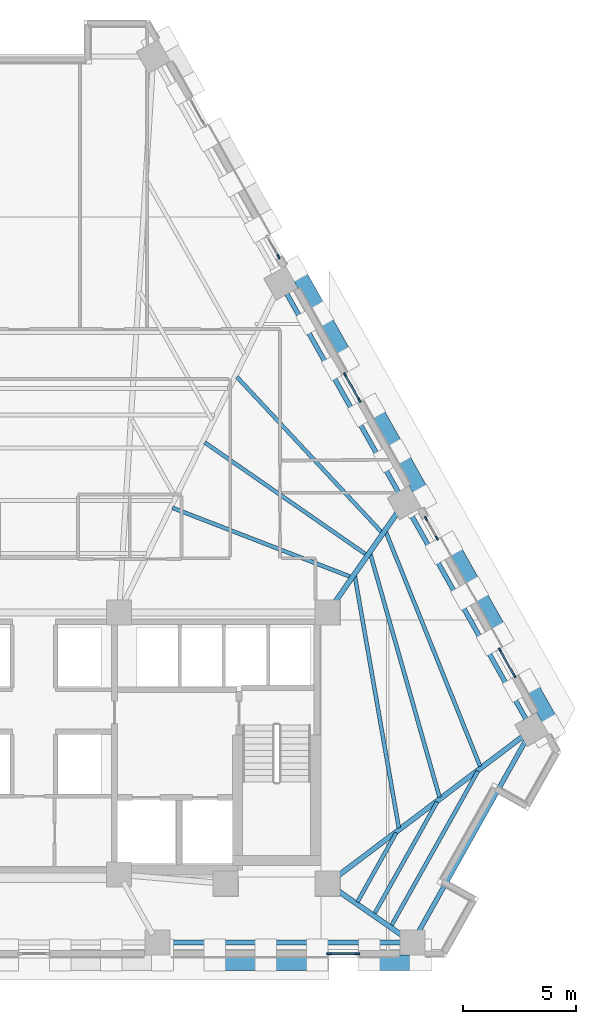
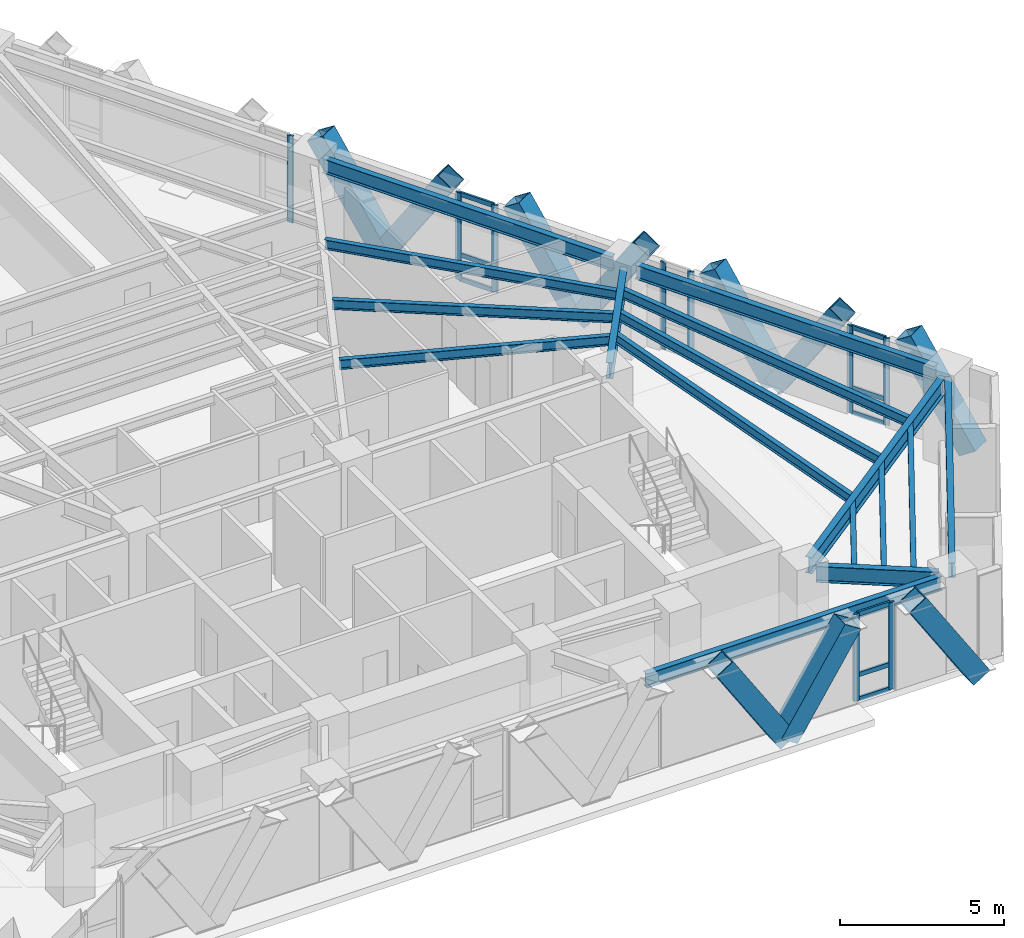
# One storey, part 4 of 13: 28 members, 16 beams, 5 elements without a shape of their own.
"""IFC4 building model written with IfcOpenShell, lengths in metres."""

from ifc_helpers import new_model, si_unit, direction, frame, origin, origin_2d, place, context, subcontext, project, spatial, rectangle, hollow_rectangle, i_section, extrude, material, material_profile, profile_set, type_object, element, aggregate, save


model = new_model("IFC4")

# Units and contexts
model_context = context("Model", 3, precision=1e-05, world=origin(), true_north=direction((0.0, 1.0)))
body_context = subcontext(model_context, "Body", "Model", "MODEL_VIEW")
ifc_project = project(units=[si_unit("LENGTHUNIT", "METRE"), si_unit("AREAUNIT", "SQUARE_METRE"), si_unit("VOLUMEUNIT", "CUBIC_METRE"), si_unit("PLANEANGLEUNIT", "RADIAN"), si_unit("MASSUNIT", "GRAM", prefix="KILO")], contexts=[model_context])

# Site, building, storey
site_placement = place(None, origin())
site = spatial("IfcSite", under=ifc_project, at=site_placement, CompositionType="ELEMENT")
building_placement = place(site_placement, origin())
building = spatial("IfcBuilding", under=site, at=building_placement, Name="Quenlor Broadcast Tower", CompositionType="ELEMENT")
storey_placement = place(building_placement, frame((0.0, 0.0, 76.60009765625)))
storey = spatial("IfcBuildingStorey", under=building, at=storey_placement, Name="L20", CompositionType="ELEMENT", Elevation=76.60009765625)

# Curtain wall, members
ifc_material_1 = material(Name="Architectural Terracotta and Low-E Glazing", Category="masonry")
curtain_wall_type = type_object("IfcCurtainWallType", Name="Unitised Terracotta Curtain Wall System Z2", PredefinedType="NOTDEFINED", material=ifc_material_1)
curtain_wall_1_placement = place(storey_placement, origin())
curtain_wall_1 = element("IfcCurtainWall", 1, at=curtain_wall_1_placement, inside=storey, type_object=curtain_wall_type, Name="L20 Curtain Wall CW2 (L20-SA-G1)", PredefinedType="NOTDEFINED")
ifc_material_2 = material(Name="Aluminium 6063-T6", Category="aluminium")
ifc_material_profile_1 = material_profile(ifc_material_2, rectangle(XDim=0.074951171875, YDim=0.199951171875, at=origin_2d()))
ifc_profile_set_1 = profile_set([ifc_material_profile_1], Name="Aluminium 6063-T6 MULL75x200")
member_type_1 = type_object("IfcMemberType", Name="CW2 Aluminium Mullion MULL_CW2", PredefinedType="MULLION", material=ifc_profile_set_1)
member_1_placement = place(storey_placement, frame((14.254150390625, -19.840087890625, 0.0), z_axis=(0.0, 0.0, 1.0), x_axis=(0.0, -1.0, 0.0)))
member_1 = element("IfcMember", 2, at=member_1_placement, type_object=member_type_1, Name="CW2 mullion 1", PredefinedType="MULLION", context=body_context, shape_type="SweptSolid", body=[
    extrude(rectangle(XDim=0.074951171875, YDim=0.199951171875, at=origin_2d()), origin(), (0.0, 0.0, 1.0), 3.25),
])
member_2_placement = place(storey_placement, frame((13.01611328125, -19.840087890625, 0.0), z_axis=(0.0, 0.0, 1.0), x_axis=(0.0, -1.0, 0.0)))
member_2 = element("IfcMember", 3, at=member_2_placement, type_object=member_type_1, Name="CW2 mullion 2", PredefinedType="MULLION", context=body_context, shape_type="SweptSolid", body=[
    extrude(rectangle(XDim=0.074951171875, YDim=0.199951171875, at=origin_2d()), origin(), (0.0, 0.0, 1.0), 3.25),
])

# Curtain wall, member
curtain_wall_2_placement = place(storey_placement, origin())
curtain_wall_2 = element("IfcCurtainWall", 4, at=curtain_wall_2_placement, inside=storey, type_object=curtain_wall_type, Name="L20 Curtain Wall CW2 (L20-NEA-G2)", PredefinedType="NOTDEFINED")
member_3_placement = place(storey_placement, frame((10.7880859375, 10.894775390625, 0.0), z_axis=(0.0, 0.0, 1.0), x_axis=(0.871580587336, 0.490252261371, 0.0)))
member_3 = element("IfcMember", 5, at=member_3_placement, type_object=member_type_1, Name="CW2 mullion 2", PredefinedType="MULLION", context=body_context, shape_type="SweptSolid", body=[
    extrude(rectangle(XDim=0.074951171875, YDim=0.199951171875, at=origin_2d()), origin(), (0.0, 0.0, 1.0), 3.25),
])
aggregate(curtain_wall_2, [member_3])

# Curtain wall, members
curtain_wall_3_placement = place(storey_placement, origin())
curtain_wall_3 = element("IfcCurtainWall", 6, at=curtain_wall_3_placement, inside=storey, type_object=curtain_wall_type, Name="L20 Curtain Wall CW2 (L20-NEC-G1)", PredefinedType="NOTDEFINED")
member_4_placement = place(storey_placement, frame((17.282958984375, -0.651611328125, 0.0), z_axis=(0.0, 0.0, 1.0), x_axis=(0.871580587336, 0.490252261371, 0.0)))
member_4 = element("IfcMember", 7, at=member_4_placement, type_object=member_type_1, Name="CW2 mullion 1", PredefinedType="MULLION", context=body_context, shape_type="SweptSolid", body=[
    extrude(rectangle(XDim=0.074951171875, YDim=0.199951171875, at=origin_2d()), origin(), (0.0, 0.0, 1.0), 3.25),
])
member_5_placement = place(storey_placement, frame((17.7646484375, -1.508056640625, 0.0), z_axis=(0.0, 0.0, 1.0), x_axis=(0.871580587336, 0.490252261371, 0.0)))
member_5 = element("IfcMember", 8, at=member_5_placement, type_object=member_type_1, Name="CW2 mullion 2", PredefinedType="MULLION", context=body_context, shape_type="SweptSolid", body=[
    extrude(rectangle(XDim=0.074951171875, YDim=0.199951171875, at=origin_2d()), origin(), (0.0, 0.0, 1.0), 3.25),
])
aggregate(curtain_wall_3, [member_4, member_5])

curtain_wall_4_placement = place(storey_placement, origin())
curtain_wall_4 = element("IfcCurtainWall", 9, at=curtain_wall_4_placement, inside=storey, type_object=curtain_wall_type, Name="L20 Curtain Wall CW2 (L20-NEC-G2)", PredefinedType="NOTDEFINED")
member_6_placement = place(storey_placement, frame((20.545654296875, -6.451904296875, 0.0), z_axis=(0.0, 0.0, 1.0), x_axis=(0.871565749621, 0.490278639232, 0.0)))
member_6 = element("IfcMember", 10, at=member_6_placement, type_object=member_type_1, Name="CW2 mullion 1", PredefinedType="MULLION", context=body_context, shape_type="SweptSolid", body=[
    extrude(rectangle(XDim=0.074951171875, YDim=0.199951171875, at=origin_2d()), origin(), (0.0, 0.0, 1.0), 3.25),
])
member_7_placement = place(storey_placement, frame((21.177734375, -7.57568359375, 0.0), z_axis=(0.0, 0.0, 1.0), x_axis=(0.871565749621, 0.490278639232, 0.0)))
member_7 = element("IfcMember", 11, at=member_7_placement, type_object=member_type_1, Name="CW2 mullion 2", PredefinedType="MULLION", context=body_context, shape_type="SweptSolid", body=[
    extrude(rectangle(XDim=0.074951171875, YDim=0.199951171875, at=origin_2d()), origin(), (0.0, 0.0, 1.0), 3.25),
])

curtain_wall_5_placement = place(storey_placement, origin())
curtain_wall_5 = element("IfcCurtainWall", 12, at=curtain_wall_5_placement, inside=storey, type_object=curtain_wall_type, Name="L20 Curtain Wall CW2 (L20-NE-G1)", PredefinedType="NOTDEFINED")
member_8_placement = place(storey_placement, frame((13.719482421875, 5.683349609375, 0.0), z_axis=(0.0, 0.0, 1.0), x_axis=(0.871579452423, 0.490254279037, 0.0)))
member_8 = element("IfcMember", 13, at=member_8_placement, type_object=member_type_1, Name="CW2 mullion 1", PredefinedType="MULLION", context=body_context, shape_type="SweptSolid", body=[
    extrude(rectangle(XDim=0.074951171875, YDim=0.199951171875, at=origin_2d()), origin(), (0.0, 0.0, 1.0), 3.25),
])
member_9_placement = place(storey_placement, frame((14.3515625, 4.559814453125, 0.0), z_axis=(0.0, 0.0, 1.0), x_axis=(0.871579452423, 0.490254279037, 0.0)))
member_9 = element("IfcMember", 14, at=member_9_placement, type_object=member_type_1, Name="CW2 mullion 2", PredefinedType="MULLION", context=body_context, shape_type="SweptSolid", body=[
    extrude(rectangle(XDim=0.074951171875, YDim=0.199951171875, at=origin_2d()), origin(), (0.0, 0.0, 1.0), 3.25),
])

# Member
ifc_material_3 = material(Name="Aluminium 6063-T6", Category="aluminium")
ifc_material_profile_2 = material_profile(ifc_material_3, rectangle(XDim=0.074951171875, YDim=0.1650390625, at=origin_2d()))
ifc_profile_set_2 = profile_set([ifc_material_profile_2], Name="Aluminium 6063-T6 TRAN75x165")
member_type_2 = type_object("IfcMemberType", Name="CW2 Aluminium Transom TRAN_CW2", PredefinedType="USERDEFINED", material=ifc_profile_set_2)
member_10_placement = place(storey_placement, frame((14.216796875, -19.840087890625, 0.037353515625), z_axis=(-1.0, 0.0, 0.0), x_axis=(0.0, -1.0, 0.0)))
member_10 = element("IfcMember", 15, at=member_10_placement, type_object=member_type_2, Name="CW2 transom 1.1", ObjectType="TRANSOM", PredefinedType="USERDEFINED", context=body_context, shape_type="SweptSolid", body=[
    extrude(rectangle(XDim=0.074951171875, YDim=0.1650390625, at=origin_2d()), origin(), (0.0, 0.0, 1.0), 1.1630859375),
])

member_11_placement = place(storey_placement, frame((14.216796875, -19.840087890625, 0.949951171875), z_axis=(-1.0, 0.0, 0.0), x_axis=(0.0, -1.0, 0.0)))
member_11 = element("IfcMember", 16, at=member_11_placement, type_object=member_type_2, Name="CW2 transom 1.2", ObjectType="TRANSOM", PredefinedType="USERDEFINED", context=body_context, shape_type="SweptSolid", body=[
    extrude(rectangle(XDim=0.074951171875, YDim=0.1650390625, at=origin_2d()), origin(), (0.0, 0.0, 1.0), 1.1630859375),
])

member_12_placement = place(storey_placement, frame((14.216796875, -19.840087890625, 3.21240234375), z_axis=(-1.0, 0.0, 0.0), x_axis=(0.0, -1.0, 0.0)))
member_12 = element("IfcMember", 17, at=member_12_placement, type_object=member_type_2, Name="CW2 transom 1.3", ObjectType="TRANSOM", PredefinedType="USERDEFINED", context=body_context, shape_type="SweptSolid", body=[
    extrude(rectangle(XDim=0.074951171875, YDim=0.1650390625, at=origin_2d()), origin(), (0.0, 0.0, 1.0), 1.1630859375),
])

aggregate(curtain_wall_1, [member_1, member_2, member_10, member_11, member_12])

member_13_placement = place(storey_placement, frame((20.56396484375, -6.484619140625, 0.037353515625), z_axis=(0.490347143438, -0.871527210661, 0.0), x_axis=(0.871527210661, 0.490347143438, 0.0)))
member_13 = element("IfcMember", 18, at=member_13_placement, type_object=member_type_2, Name="CW2 transom 1.1", ObjectType="TRANSOM", PredefinedType="USERDEFINED", context=body_context, shape_type="SweptSolid", body=[
    extrude(rectangle(XDim=0.074951171875, YDim=0.1650390625, at=origin_2d()), origin(), (0.0, 0.0, 1.0), 1.21435546875),
])

member_14_placement = place(storey_placement, frame((20.56396484375, -6.484619140625, 0.949951171875), z_axis=(0.490347143438, -0.871527210661, 0.0), x_axis=(0.871527210661, 0.490347143438, 0.0)))
member_14 = element("IfcMember", 19, at=member_14_placement, type_object=member_type_2, Name="CW2 transom 1.2", ObjectType="TRANSOM", PredefinedType="USERDEFINED", context=body_context, shape_type="SweptSolid", body=[
    extrude(rectangle(XDim=0.074951171875, YDim=0.1650390625, at=origin_2d()), origin(), (0.0, 0.0, 1.0), 1.21435546875),
])

member_15_placement = place(storey_placement, frame((20.56396484375, -6.484619140625, 3.21240234375), z_axis=(0.490347143438, -0.871527210661, 0.0), x_axis=(0.871527210661, 0.490347143438, 0.0)))
member_15 = element("IfcMember", 20, at=member_15_placement, type_object=member_type_2, Name="CW2 transom 1.3", ObjectType="TRANSOM", PredefinedType="USERDEFINED", context=body_context, shape_type="SweptSolid", body=[
    extrude(rectangle(XDim=0.074951171875, YDim=0.1650390625, at=origin_2d()), origin(), (0.0, 0.0, 1.0), 1.21435546875),
])

aggregate(curtain_wall_4, [member_6, member_7, member_13, member_14, member_15])

member_16_placement = place(storey_placement, frame((13.73779296875, 5.650634765625, 0.037353515625), z_axis=(0.490433072585, -0.871478858788, 0.0), x_axis=(0.871478858788, 0.490433072585, 0.0)))
member_16 = element("IfcMember", 21, at=member_16_placement, type_object=member_type_2, Name="CW2 transom 1.1", ObjectType="TRANSOM", PredefinedType="USERDEFINED", context=body_context, shape_type="SweptSolid", body=[
    extrude(rectangle(XDim=0.074951171875, YDim=0.1650390625, at=origin_2d()), origin(), (0.0, 0.0, 1.0), 1.214111328125),
])

member_17_placement = place(storey_placement, frame((13.73779296875, 5.650634765625, 0.949951171875), z_axis=(0.490433072585, -0.871478858788, 0.0), x_axis=(0.871478858788, 0.490433072585, 0.0)))
member_17 = element("IfcMember", 22, at=member_17_placement, type_object=member_type_2, Name="CW2 transom 1.2", ObjectType="TRANSOM", PredefinedType="USERDEFINED", context=body_context, shape_type="SweptSolid", body=[
    extrude(rectangle(XDim=0.074951171875, YDim=0.1650390625, at=origin_2d()), origin(), (0.0, 0.0, 1.0), 1.214111328125),
])

member_18_placement = place(storey_placement, frame((13.73779296875, 5.650634765625, 3.21240234375), z_axis=(0.490433072585, -0.871478858788, 0.0), x_axis=(0.871478858788, 0.490433072585, 0.0)))
member_18 = element("IfcMember", 23, at=member_18_placement, type_object=member_type_2, Name="CW2 transom 1.3", ObjectType="TRANSOM", PredefinedType="USERDEFINED", context=body_context, shape_type="SweptSolid", body=[
    extrude(rectangle(XDim=0.074951171875, YDim=0.1650390625, at=origin_2d()), origin(), (0.0, 0.0, 1.0), 1.214111328125),
])

aggregate(curtain_wall_5, [member_8, member_9, member_16, member_17, member_18])

# Members
ifc_material_4 = material(Name="Steel S355", Category="steel")
ifc_material_profile_3 = material_profile(ifc_material_4, hollow_rectangle(XDim=0.679931640625, YDim=0.679931640625, WallThickness=0.030029296875, at=origin_2d()))
ifc_profile_set_3 = profile_set([ifc_material_profile_3], Name="Steel S355 RHS680x680x30")
member_type_3 = type_object("IfcMemberType", Name="Perimeter Diagonal Lattice Brace Z2 Steel S355 RHS680x30", PredefinedType="BRACE", material=ifc_profile_set_3)
for number, where, z_axis, x_axis, name in (
    (24, (17.030517578125, -20.235107421875, -0.1201171875), (-0.539968035679, 0.0, 0.841685523485), (0.0, -1.0, 0.0), "L20 Perimeter Diamond Lattice S-C1S"),
    (25, (10.239990234375, -20.235107421875, -0.1201171875), (0.539968035679, 0.0, 0.841685523485), (0.0, 1.0, 0.0), "L20 Perimeter Diamond Lattice S-C1B"),
    (26, (10.212890625, -20.235107421875, -0.1201171875), (-0.539968035679, 0.0, 0.841685523485), (0.0, -1.0, 0.0), "L20 Perimeter Diamond Lattice S-C2S"),
):
    element("IfcMember", number, at=place(storey_placement, frame(where, z_axis=z_axis, x_axis=x_axis)), inside=storey, type_object=member_type_3, Name=name, PredefinedType="BRACE", context=body_context, shape_type="SweptSolid", body=[
        extrude(hollow_rectangle(XDim=0.679931640625, YDim=0.679931640625, WallThickness=0.030029296875, at=origin_2d()), origin(), (0.0, 0.0, 1.0), 4.158203125),
    ])
member_19_placement = place(storey_placement, frame((12.66650390625, 8.361083984375, -0.1201171875), z_axis=(-0.268634887212, 0.477637964099, 0.83647909276), x_axis=(-0.871603971106, -0.490210686901, 0.0)))
element("IfcMember", 27, at=member_19_placement, inside=storey, type_object=member_type_3, Name="L20 Perimeter Diamond Lattice NE-C2B", PredefinedType="BRACE", context=body_context, shape_type="SweptSolid", body=[
    extrude(hollow_rectangle(XDim=0.679931640625, YDim=0.679931640625, WallThickness=0.030029296875, at=origin_2d()), origin(), (0.0, 0.0, 1.0), 4.184326171875),
])
for number, where, z_axis, x_axis, name in (
    (28, (12.68017578125, 8.3369140625, -0.1201171875), (0.268642373731, -0.477592925498, 0.83650240439), (0.871578380919, 0.490256183964, 0.0), "L20 Perimeter Diamond Lattice NE-C3S"),
    (29, (16.07958984375, 2.29345703125, -0.1201171875), (-0.268696511206, 0.477585438485, 0.836489290913), (-0.871532878923, -0.490337068716, 0.0), "L20 Perimeter Diamond Lattice NE-C3B"),
    (30, (16.093017578125, 2.269287109375, -0.1201171875), (0.268696511206, -0.477585438485, 0.836489290913), (0.871532878923, 0.490337068716, 0.0), "L20 Perimeter Diamond Lattice NE-C4S"),
    (31, (19.49267578125, -3.774169921875, -0.1201171875), (-0.268696511206, 0.477585438485, 0.836489290913), (-0.871532878923, -0.490337068716, 0.0), "L20 Perimeter Diamond Lattice NE-C4B"),
    (32, (19.506103515625, -3.79833984375, -0.1201171875), (0.268696511206, -0.477585438485, 0.836489290913), (0.871532878923, 0.490337068716, 0.0), "L20 Perimeter Diamond Lattice NE-C5S"),
    (33, (22.90576171875, -9.841796875, -0.1201171875), (-0.268696511206, 0.477585438485, 0.836489290913), (-0.871532878923, -0.490337068716, 0.0), "L20 Perimeter Diamond Lattice NE-C5B"),
):
    element("IfcMember", number, at=place(storey_placement, frame(where, z_axis=z_axis, x_axis=x_axis)), inside=storey, type_object=member_type_3, Name=name, PredefinedType="BRACE", context=body_context, shape_type="SweptSolid", body=[
        extrude(hollow_rectangle(XDim=0.679931640625, YDim=0.679931640625, WallThickness=0.030029296875, at=origin_2d()), origin(), (0.0, 0.0, 1.0), 4.18408203125),
    ])

# Beams
ifc_material_5 = material(Name="Steel S355", Category="steel")
ifc_material_profile_4 = material_profile(ifc_material_5, i_section(OverallWidth=0.208984375, OverallDepth=0.5283203125, WebThickness=0.009521484375, FlangeThickness=0.01318359375, FilletRadius=0.013916015625, at=origin_2d()))
ifc_profile_set_4 = profile_set([ifc_material_profile_4], Name="Steel S355 530UB82.0")
beam_type_1 = type_object("IfcBeamType", Name="Perimeter Spandrel Beam Z2 Steel S355 530UB82.0", PredefinedType="SPANDREL", material=ifc_profile_set_4)
beam_1_placement = place(storey_placement, frame((5.853271484375, -19.35009765625, 2.98583984375), z_axis=(1.0, 0.0, 0.0), x_axis=(0.0, 1.0, 0.0)))
element("IfcBeam", 34, at=beam_1_placement, inside=storey, type_object=beam_type_1, Name="L20 Spandrel Beam S3-S4", PredefinedType="SPANDREL", context=body_context, shape_type="SweptSolid", body=[
    extrude(i_section(OverallWidth=0.208984375, OverallDepth=0.5283203125, WebThickness=0.009521484375, FlangeThickness=0.01318359375, FilletRadius=0.013916015625, at=origin_2d()), origin(), (0.0, 0.0, 1.0), 10.42919921875),
])
beam_2_placement = place(storey_placement, frame((16.892822265625, -18.9921875, 2.98583984375), z_axis=(0.488749102779, 0.872424389006, 0.0), x_axis=(-0.872424389006, 0.488749102779, 0.0)))
element("IfcBeam", 35, at=beam_2_placement, inside=storey, type_object=beam_type_1, Name="L20 Spandrel Beam S4-NE1", PredefinedType="SPANDREL", context=body_context, shape_type="SweptSolid", body=[
    extrude(i_section(OverallWidth=0.208984375, OverallDepth=0.5283203125, WebThickness=0.009521484375, FlangeThickness=0.01318359375, FilletRadius=0.013916015625, at=origin_2d()), origin(), (0.0, 0.0, 1.0), 9.947021484375),
])
beam_3_placement = place(storey_placement, frame((21.753662109375, -9.59912109375, 2.98583984375), z_axis=(-0.490263415828, 0.871574313011, 0.0), x_axis=(-0.871574313011, -0.490263415828, 0.0)))
element("IfcBeam", 36, at=beam_3_placement, inside=storey, type_object=beam_type_1, Name="L20 Spandrel Beam NE1-NE2", PredefinedType="SPANDREL", context=body_context, shape_type="SweptSolid", body=[
    extrude(i_section(OverallWidth=0.208984375, OverallDepth=0.5283203125, WebThickness=0.009521484375, FlangeThickness=0.01318359375, FilletRadius=0.013916015625, at=origin_2d()), origin(), (0.0, 0.0, 1.0), 10.65283203125),
])
beam_4_placement = place(storey_placement, frame((16.129150390625, 0.400146484375, 2.98583984375), z_axis=(-0.49026462139, 0.871573634878, 0.0), x_axis=(-0.871573634878, -0.49026462139, 0.0)))
element("IfcBeam", 37, at=beam_4_placement, inside=storey, type_object=beam_type_1, Name="L20 Spandrel Beam NE2-NE3", PredefinedType="SPANDREL", context=body_context, shape_type="SweptSolid", body=[
    extrude(i_section(OverallWidth=0.208984375, OverallDepth=0.5283203125, WebThickness=0.009521484375, FlangeThickness=0.01318359375, FilletRadius=0.013916015625, at=origin_2d()), origin(), (0.0, 0.0, 1.0), 10.28271484375),
])
ifc_material_6 = material(Name="Steel S355", Category="steel")
ifc_material_profile_5 = material_profile(ifc_material_6, i_section(OverallWidth=0.172119140625, OverallDepth=0.358642578125, WebThickness=0.008056640625, FlangeThickness=0.012939453125, FilletRadius=0.011474609375, at=origin_2d()))
ifc_profile_set_5 = profile_set([ifc_material_profile_5], Name="Steel S355 360UB56.7")
beam_type_2 = type_object("IfcBeamType", Name="Tower Composite Joist Z2-Z3 Steel S355 360UB56.7", PredefinedType="JOIST", material=ifc_profile_set_5)
beam_5_placement = place(storey_placement, frame((13.95703125, -3.221435546875, 3.070556640625), z_axis=(-0.932542579586, 0.361060018916, 0.0), x_axis=(-0.361060018916, -0.932542579586, 0.0)))
element("IfcBeam", 38, at=beam_5_placement, inside=storey, type_object=beam_type_2, Name="L20 Secondary Composite Joist 10", PredefinedType="JOIST", context=body_context, shape_type="SweptSolid", body=[
    extrude(i_section(OverallWidth=0.172119140625, OverallDepth=0.358642578125, WebThickness=0.008056640625, FlangeThickness=0.012939453125, FilletRadius=0.011474609375, at=origin_2d()), origin(), (0.0, 0.0, 1.0), 8.416259765625),
])
beam_6_placement = place(storey_placement, frame((14.641845703125, -2.236083984375, 3.070556640625), z_axis=(-0.821385737622, 0.570373097219, 0.0), x_axis=(-0.570373097219, -0.821385737622, 0.0)))
element("IfcBeam", 39, at=beam_6_placement, inside=storey, type_object=beam_type_2, Name="L20 Secondary Composite Joist 11", PredefinedType="JOIST", context=body_context, shape_type="SweptSolid", body=[
    extrude(i_section(OverallWidth=0.172119140625, OverallDepth=0.358642578125, WebThickness=0.008056640625, FlangeThickness=0.012939453125, FilletRadius=0.011474609375, at=origin_2d()), origin(), (0.0, 0.0, 1.0), 8.662109375),
])
beam_7_placement = place(storey_placement, frame((15.3291015625, -1.254638671875, 3.070556640625), z_axis=(-0.681880655944, 0.73146344478, 0.0), x_axis=(-0.73146344478, -0.681880655944, 0.0)))
element("IfcBeam", 40, at=beam_7_placement, inside=storey, type_object=beam_type_2, Name="L20 Secondary Composite Joist 12", PredefinedType="JOIST", context=body_context, shape_type="SweptSolid", body=[
    extrude(i_section(OverallWidth=0.172119140625, OverallDepth=0.358642578125, WebThickness=0.008056640625, FlangeThickness=0.012939453125, FilletRadius=0.011474609375, at=origin_2d()), origin(), (0.0, 0.0, 1.0), 9.365234375),
])
beam_8_placement = place(storey_placement, frame((16.087890625, -14.29345703125, 3.070556640625), z_axis=(-0.172120396521, 0.985075920476, 0.0), x_axis=(-0.985075920476, -0.172120396521, 0.0)))
element("IfcBeam", 41, at=beam_8_placement, inside=storey, type_object=beam_type_2, Name="L20 Secondary Composite Joist 16", PredefinedType="JOIST", context=body_context, shape_type="SweptSolid", body=[
    extrude(i_section(OverallWidth=0.172119140625, OverallDepth=0.358642578125, WebThickness=0.008056640625, FlangeThickness=0.012939453125, FilletRadius=0.011474609375, at=origin_2d()), origin(), (0.0, 0.0, 1.0), 11.27783203125),
])
beam_9_placement = place(storey_placement, frame((17.880615234375, -12.9365234375, 3.070556640625), z_axis=(-0.273563993601, 0.96185380459, 0.0), x_axis=(-0.96185380459, -0.273563993601, 0.0)))
element("IfcBeam", 42, at=beam_9_placement, inside=storey, type_object=beam_type_2, Name="L20 Secondary Composite Joist 17", PredefinedType="JOIST", context=body_context, shape_type="SweptSolid", body=[
    extrude(i_section(OverallWidth=0.172119140625, OverallDepth=0.358642578125, WebThickness=0.008056640625, FlangeThickness=0.012939453125, FilletRadius=0.011474609375, at=origin_2d()), origin(), (0.0, 0.0, 1.0), 11.1484375),
])
beam_10_placement = place(storey_placement, frame((19.673583984375, -11.580810546875, 3.070556640625), z_axis=(-0.373180395983, 0.92775880058, 0.0), x_axis=(-0.92775880058, -0.373180395983, 0.0)))
element("IfcBeam", 43, at=beam_10_placement, inside=storey, type_object=beam_type_2, Name="L20 Secondary Composite Joist 18", PredefinedType="JOIST", context=body_context, shape_type="SweptSolid", body=[
    extrude(i_section(OverallWidth=0.172119140625, OverallDepth=0.358642578125, WebThickness=0.008056640625, FlangeThickness=0.012939453125, FilletRadius=0.011474609375, at=origin_2d()), origin(), (0.0, 0.0, 1.0), 11.143798828125),
])
beam_11_placement = place(storey_placement, frame((14.261474609375, -17.564208984375, 3.070556640625), z_axis=(0.488730779643, 0.87243465373, 0.0), x_axis=(-0.87243465373, 0.488730779643, 0.0)))
element("IfcBeam", 44, at=beam_11_placement, inside=storey, type_object=beam_type_2, Name="L20 Secondary Composite Joist 22", PredefinedType="JOIST", context=body_context, shape_type="SweptSolid", body=[
    extrude(i_section(OverallWidth=0.172119140625, OverallDepth=0.358642578125, WebThickness=0.008056640625, FlangeThickness=0.012939453125, FilletRadius=0.011474609375, at=origin_2d()), origin(), (0.0, 0.0, 1.0), 3.500732421875),
])
beam_12_placement = place(storey_placement, frame((15.010009765625, -18.084228515625, 3.070556640625), z_axis=(0.488741419435, 0.87242869332, 0.0), x_axis=(-0.87242869332, 0.488741419435, 0.0)))
element("IfcBeam", 45, at=beam_12_placement, inside=storey, type_object=beam_type_2, Name="L20 Secondary Composite Joist 23", PredefinedType="JOIST", context=body_context, shape_type="SweptSolid", body=[
    extrude(i_section(OverallWidth=0.172119140625, OverallDepth=0.358642578125, WebThickness=0.008056640625, FlangeThickness=0.012939453125, FilletRadius=0.011474609375, at=origin_2d()), origin(), (0.0, 0.0, 1.0), 5.654052734375),
])
beam_13_placement = place(storey_placement, frame((15.758544921875, -18.604248046875, 3.070556640625), z_axis=(0.488732857155, 0.872433489922, 0.0), x_axis=(-0.872433489922, 0.488732857155, 0.0)))
element("IfcBeam", 46, at=beam_13_placement, inside=storey, type_object=beam_type_2, Name="L20 Secondary Composite Joist 24", PredefinedType="JOIST", context=body_context, shape_type="SweptSolid", body=[
    extrude(i_section(OverallWidth=0.172119140625, OverallDepth=0.358642578125, WebThickness=0.008056640625, FlangeThickness=0.012939453125, FilletRadius=0.011474609375, at=origin_2d()), origin(), (0.0, 0.0, 1.0), 7.807861328125),
])
ifc_material_7 = material(Name="Steel S355", Category="steel")
ifc_material_profile_6 = material_profile(ifc_material_7, i_section(OverallWidth=0.22802734375, OverallDepth=0.60205078125, WebThickness=0.010498046875, FlangeThickness=0.014892578125, FilletRadius=0.013916015625, at=origin_2d()))
ifc_profile_set_6 = profile_set([ifc_material_profile_6], Name="Steel S355 610UB101")
beam_type_3 = type_object("IfcBeamType", Name="Tower Primary Floor Beam Z2 Steel S355 610UB101", PredefinedType="BEAM", material=ifc_profile_set_6)
beam_14_placement = place(storey_placement, frame((16.355712890625, -19.1162109375, 2.948974609375), z_axis=(-0.821227395059, 0.570601056436, 0.0), x_axis=(-0.570601056436, -0.821227395059, 0.0)))
element("IfcBeam", 47, at=beam_14_placement, inside=storey, type_object=beam_type_3, Name="L20 Primary Radial Beam S4", PredefinedType="BEAM", context=body_context, shape_type="SweptSolid", body=[
    extrude(i_section(OverallWidth=0.22802734375, OverallDepth=0.60205078125, WebThickness=0.010498046875, FlangeThickness=0.014892578125, FilletRadius=0.013916015625, at=origin_2d()), origin(), (0.0, 0.0, 1.0), 3.766845703125),
])
beam_15_placement = place(storey_placement, frame((21.62744140625, -10.203369140625, 2.948974609375), z_axis=(-0.798298724007, -0.602261693327, 0.0), x_axis=(0.602261693327, -0.798298724007, 0.0)))
element("IfcBeam", 48, at=beam_15_placement, inside=storey, type_object=beam_type_3, Name="L20 Primary Radial Beam NE1", PredefinedType="BEAM", context=body_context, shape_type="SweptSolid", body=[
    extrude(i_section(OverallWidth=0.22802734375, OverallDepth=0.60205078125, WebThickness=0.010498046875, FlangeThickness=0.014892578125, FilletRadius=0.013916015625, at=origin_2d()), origin(), (0.0, 0.0, 1.0), 10.48974609375),
])
beam_16_placement = place(storey_placement, frame((16.095458984375, -0.293212890625, 2.948974609375), z_axis=(-0.572337599985, -0.820018092266, 0.0), x_axis=(0.820018092266, -0.572337599985, 0.0)))
element("IfcBeam", 49, at=beam_16_placement, inside=storey, type_object=beam_type_3, Name="L20 Primary Radial Beam NE2", PredefinedType="BEAM", context=body_context, shape_type="SweptSolid", body=[
    extrude(i_section(OverallWidth=0.22802734375, OverallDepth=0.60205078125, WebThickness=0.010498046875, FlangeThickness=0.014892578125, FilletRadius=0.013916015625, at=origin_2d()), origin(), (0.0, 0.0, 1.0), 5.11572265625),
])

save(model, "model.ifc")
